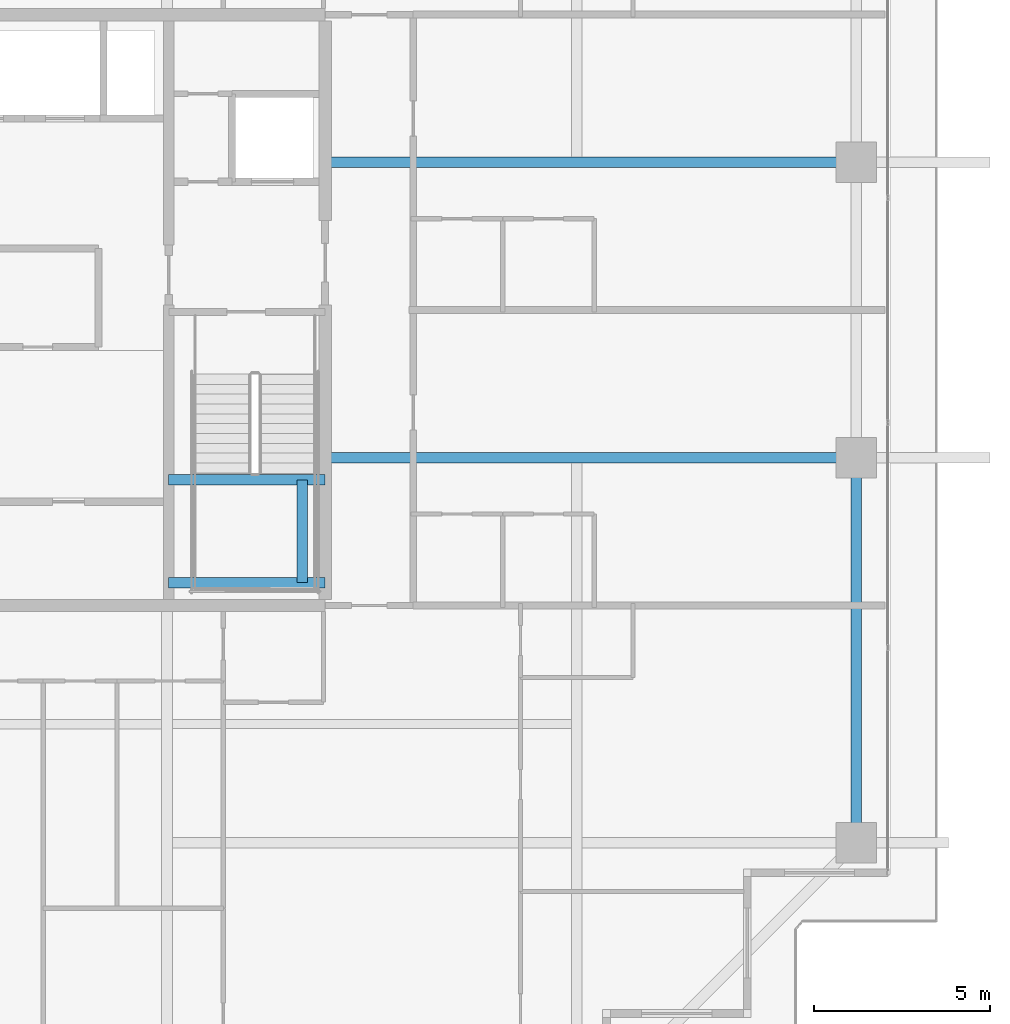
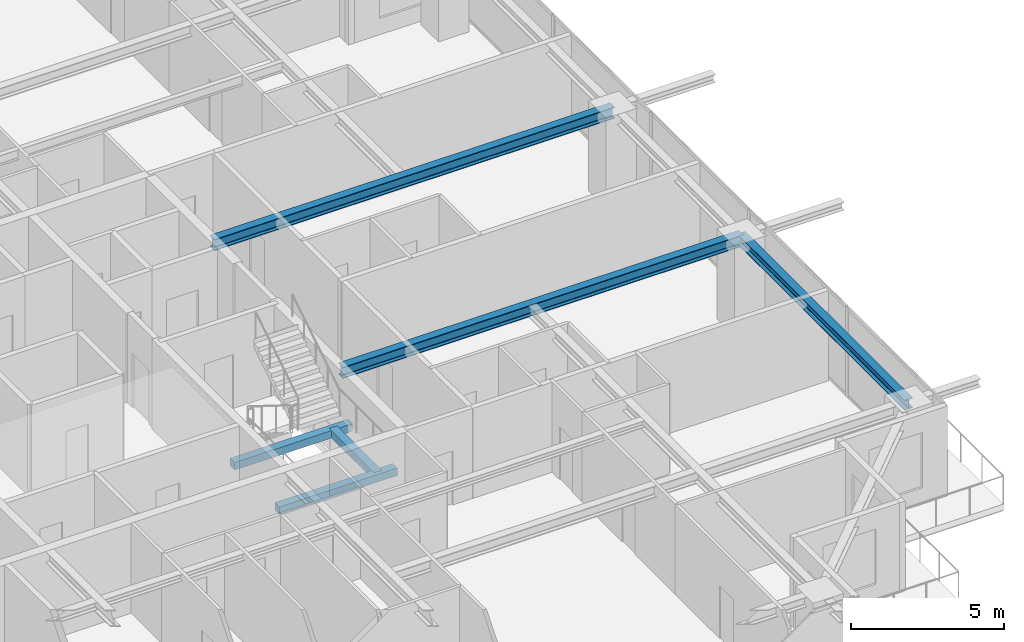
# One storey, part 14 of 38: 6 beams.
"""IFC4 building model written with IfcOpenShell, lengths in metres."""

from ifc_helpers import new_model, si_unit, direction, frame, origin, origin_2d, place, context, subcontext, project, spatial, rectangle, i_section, extrude, source, transform, mapped, material, material_profile, profile_set, type_object, element, save


model = new_model("IFC4")

# Units and contexts
model_context = context("Model", 3, precision=1e-05, world=origin(), true_north=direction((0.0, 1.0)))
body_context = subcontext(model_context, "Body", "Model", "MODEL_VIEW")
ifc_project = project(units=[si_unit("LENGTHUNIT", "METRE"), si_unit("AREAUNIT", "SQUARE_METRE"), si_unit("VOLUMEUNIT", "CUBIC_METRE"), si_unit("PLANEANGLEUNIT", "RADIAN"), si_unit("MASSUNIT", "GRAM", prefix="KILO")], contexts=[model_context])

# Site, building, storey
site_placement = place(None, origin())
site = spatial("IfcSite", under=ifc_project, at=site_placement, CompositionType="ELEMENT")
building_placement = place(site_placement, origin())
building = spatial("IfcBuilding", under=site, at=building_placement, Name="Serunith Strait Residences", CompositionType="ELEMENT")
storey_placement = place(building_placement, frame((0.0, 0.0, 241.25)))
storey = spatial("IfcBuildingStorey", under=building, at=storey_placement, Name="L60", CompositionType="ELEMENT", Elevation=241.25)

# Beams
ifc_material_1 = material(Name="Steel S355J2", Category="steel")
ifc_material_profile_1 = material_profile(ifc_material_1, i_section(OverallWidth=0.300048828125, OverallDepth=0.449951171875, WebThickness=0.013916015625, FlangeThickness=0.02587890625, FilletRadius=0.027099609375, at=origin_2d()), Name="HEB 450")
ifc_profile_set_1 = profile_set([ifc_material_profile_1], Name="Steel S355J2")
beam_type_1 = type_object("IfcBeamType", Name="BM-HEB450", PredefinedType="BEAM", material=ifc_profile_set_1)
shared_shape_1 = source(origin(), body_context, "Body", "SweptSolid", [
    extrude(i_section(OverallWidth=0.300048828125, OverallDepth=0.449951171875, WebThickness=0.013916015625, FlangeThickness=0.02587890625, FilletRadius=0.027099609375, at=origin_2d()), origin(), (0.0, 0.0, 1.0), 15.10009765625),
])
for number, where, z_axis, x_axis, name in (
    (1, (41.39990234375, 21.0, 3.362060546875), (1.0, 0.0, 0.0), (0.0, 1.0, 0.0), "L60 Primary Floor Girder TC-E2"),
    (2, (41.39990234375, 29.39990234375, 3.362060546875), (1.0, 0.0, 0.0), (0.0, 1.0, 0.0), "L60 Primary Floor Girder TC-E3"),
):
    element("IfcBeam", number, at=place(storey_placement, frame(where, z_axis=z_axis, x_axis=x_axis)), inside=storey, type_object=beam_type_1, Name=name, PredefinedType="BEAM", context=body_context, shape_type="MappedRepresentation", body=[
        mapped(shared_shape_1, transform((0.0, 0.0, 0.0), scale=1.0)),
    ])
ifc_material_profile_2 = material_profile(ifc_material_1, i_section(OverallWidth=0.300048828125, OverallDepth=0.39990234375, WebThickness=0.013427734375, FlangeThickness=0.02392578125, FilletRadius=0.027099609375, at=origin_2d()), Name="HEB 400")
ifc_profile_set_2 = profile_set([ifc_material_profile_2], Name="Steel S355J2")
beam_type_2 = type_object("IfcBeamType", Name="BM-HEB400", PredefinedType="BEAM", material=ifc_profile_set_2)
shared_shape_2 = source(origin(), body_context, "Body", "SweptSolid", [
    extrude(i_section(OverallWidth=0.300048828125, OverallDepth=0.39990234375, WebThickness=0.013427734375, FlangeThickness=0.02392578125, FilletRadius=0.027099609375, at=origin_2d()), origin(), (0.0, 0.0, 1.0), 10.949951171875),
])
beam_1_placement = place(storey_placement, frame((56.5, 10.050048828125, 3.386962890625), z_axis=(0.0, 1.0, 0.0), x_axis=(-1.0, 0.0, 0.0)))
element("IfcBeam", 3, at=beam_1_placement, inside=storey, type_object=beam_type_2, Name="L60 Perimeter Ring Beam 05", PredefinedType="BEAM", context=body_context, shape_type="MappedRepresentation", body=[
    mapped(shared_shape_2, transform((0.0, 0.0, 0.0), scale=1.0)),
])
ifc_material_2 = material(Name="Concrete C60/75", Category="concrete")
ifc_material_profile_3 = material_profile(ifc_material_2, rectangle(XDim=0.300048828125, YDim=0.300048828125, at=origin_2d()), Name="RC 300x300")
ifc_profile_set_3 = profile_set([ifc_material_profile_3], Name="Concrete C60/75")
beam_type_3 = type_object("IfcBeamType", Name="BM-LAND-300x300", PredefinedType="BEAM", material=ifc_profile_set_3)
shared_shape_3 = source(origin(), body_context, "Body", "SweptSolid", [
    extrude(rectangle(XDim=0.300048828125, YDim=0.300048828125, at=origin_2d()), origin(), (0.0, 0.0, 1.0), 4.449951171875),
])
for number, where, z_axis, x_axis, name in (
    (4, (36.949951171875, 17.449951171875, 1.574951171875), (1.0, 0.0, 0.0), (0.0, 1.0, 0.0), "L60 ST-2 Landing Support Beam 1"),
    (5, (36.949951171875, 20.3701171875, 1.574951171875), (1.0, 0.0, 0.0), (0.0, 1.0, 0.0), "L60 ST-2 Landing Support Beam 2"),
):
    element("IfcBeam", number, at=place(storey_placement, frame(where, z_axis=z_axis, x_axis=x_axis)), inside=storey, type_object=beam_type_3, Name=name, PredefinedType="BEAM", context=body_context, shape_type="MappedRepresentation", body=[
        mapped(shared_shape_3, transform((0.0, 0.0, 0.0), scale=1.0)),
    ])
shared_shape_4 = source(origin(), body_context, "Body", "SweptSolid", [
    extrude(rectangle(XDim=0.300048828125, YDim=0.300048828125, at=origin_2d()), origin(), (0.0, 0.0, 1.0), 2.920166015625),
])
beam_2_placement = place(storey_placement, frame((40.75, 17.449951171875, 1.574951171875), z_axis=(0.0, 1.0, 0.0), x_axis=(-1.0, 0.0, 0.0)))
element("IfcBeam", 6, at=beam_2_placement, inside=storey, type_object=beam_type_3, Name="L60 ST-2 Landing Transverse Tie Beam", PredefinedType="BEAM", context=body_context, shape_type="MappedRepresentation", body=[
    mapped(shared_shape_4, transform((0.0, 0.0, 0.0), scale=1.0)),
])

save(model, "model.ifc")
